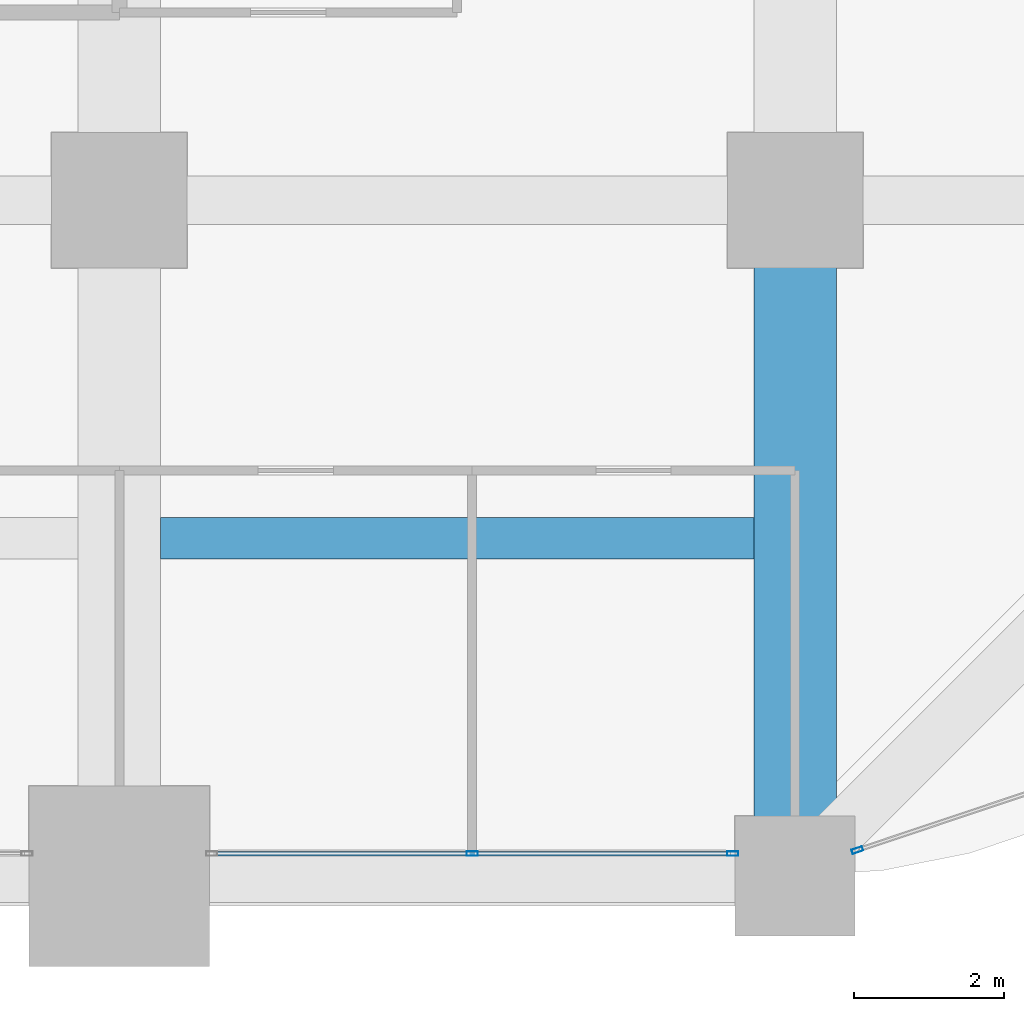
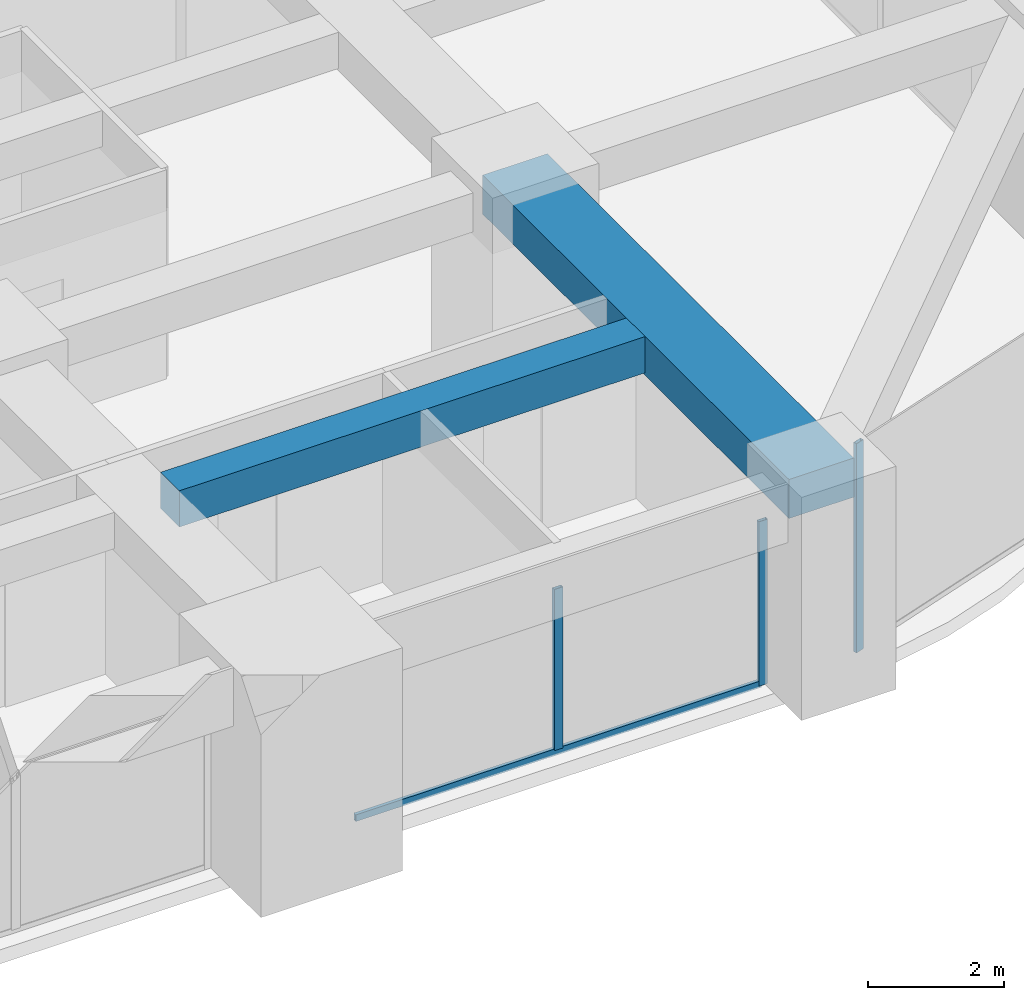
# One storey, part 16 of 40: 4 members, 2 beams, 2 elements without a shape of their own.
"""IFC4 building model written with IfcOpenShell, lengths in metres."""

from ifc_helpers import new_model, si_unit, direction, frame, origin, origin_2d, place, context, subcontext, project, spatial, rectangle, hollow_rectangle, extrude, material, material_profile, profile_set, type_object, element, aggregate, save


model = new_model("IFC4")

# Units and contexts
model_context = context("Model", 3, precision=1e-05, world=origin(), true_north=direction((0.0, 1.0)))
body_context = subcontext(model_context, "Body", "Model", "MODEL_VIEW")
ifc_project = project(units=[si_unit("LENGTHUNIT", "METRE"), si_unit("AREAUNIT", "SQUARE_METRE"), si_unit("VOLUMEUNIT", "CUBIC_METRE"), si_unit("PLANEANGLEUNIT", "RADIAN"), si_unit("MASSUNIT", "GRAM", prefix="KILO")], contexts=[model_context])

# Site, building, storey
site_placement = place(None, origin())
site = spatial("IfcSite", under=ifc_project, at=site_placement, CompositionType="ELEMENT")
building_placement = place(site_placement, origin())
building = spatial("IfcBuilding", under=site, at=building_placement, Name="Zorevar Civic Tower", CompositionType="ELEMENT")
storey_placement = place(building_placement, frame((0.0, 0.0, 133.0)))
storey = spatial("IfcBuildingStorey", under=building, at=storey_placement, Name="L32", CompositionType="ELEMENT", Elevation=133.0)

# Beams
ifc_material_1 = material(Name="Concrete C50/60", Category="concrete")
ifc_material_profile_1 = material_profile(ifc_material_1, rectangle(XDim=1.10009765625, YDim=0.699951171875, at=origin_2d()), Name="RC 1100x700")
ifc_profile_set_1 = profile_set([ifc_material_profile_1], Name="Concrete C50/60")
beam_type_1 = type_object("IfcBeamType", Name="Beam RC 1100x700", PredefinedType="BEAM", material=ifc_profile_set_1)
beam_1_placement = place(storey_placement, frame((54.0, 0.0, 3.39990234375), z_axis=(0.0, 1.0, 0.0), x_axis=(-1.0, 0.0, 0.0)))
element("IfcBeam", 1, at=beam_1_placement, inside=storey, type_object=beam_type_1, Name="Girder L33", PredefinedType="BEAM", context=body_context, shape_type="SweptSolid", body=[
    extrude(rectangle(XDim=1.10009765625, YDim=0.699951171875, at=origin_2d()), origin(), (0.0, 0.0, 1.0), 9.0),
])
ifc_material_2 = material(Name="Concrete C50/60", Category="concrete")
ifc_material_profile_2 = material_profile(ifc_material_2, rectangle(XDim=0.550048828125, YDim=0.64990234375, at=origin_2d()), Name="RC 550x650")
ifc_profile_set_2 = profile_set([ifc_material_profile_2], Name="Concrete C50/60")
beam_type_2 = type_object("IfcBeamType", Name="Beam RC 550x650", PredefinedType="BEAM", material=ifc_profile_set_2)
beam_2_placement = place(storey_placement, frame((45.550048828125, 4.5, 3.425048828125), z_axis=(1.0, 0.0, 0.0), x_axis=(0.0, 1.0, 0.0)))
element("IfcBeam", 2, at=beam_2_placement, inside=storey, type_object=beam_type_2, Name="Secondary beam L33", PredefinedType="BEAM", context=body_context, shape_type="SweptSolid", body=[
    extrude(rectangle(XDim=0.550048828125, YDim=0.64990234375, at=origin_2d()), origin(), (0.0, 0.0, 1.0), 7.89990234375),
])

# Curtain wall, members
ifc_material_3 = material(Name="Dark grey solar-control glass in black aluminium frame", Category="aluminium")
curtain_wall_type = type_object("IfcCurtainWallType", Name="Curtain wall CW3 mid zone", PredefinedType="NOTDEFINED", material=ifc_material_3)
curtain_wall_1_placement = place(storey_placement, origin())
curtain_wall_1 = element("IfcCurtainWall", 3, at=curtain_wall_1_placement, inside=storey, type_object=curtain_wall_type, Name="CW3 L32", PredefinedType="NOTDEFINED")
ifc_material_4 = material(Name="Aluminium, black anodised", Category="aluminium")
ifc_material_profile_3 = material_profile(ifc_material_4, hollow_rectangle(XDim=0.06005859375, YDim=0.14990234375, WallThickness=0.00390625, at=origin_2d()), Name="AL 150x60x4")
ifc_profile_set_3 = profile_set([ifc_material_profile_3], Name="Aluminium, black anodised")
member_type_1 = type_object("IfcMemberType", Name="CW3 mullion AL 150x60x4", PredefinedType="MULLION", material=ifc_profile_set_3)
member_1_placement = place(storey_placement, frame((49.699951171875, 0.300048828125, 0.06005859375), z_axis=(0.0, 0.0, 1.0), x_axis=(0.0, 1.0, 0.0)))
member_1 = element("IfcMember", 4, at=member_1_placement, type_object=member_type_1, Name="CW3 mullion 2", PredefinedType="MULLION", context=body_context, shape_type="SweptSolid", body=[
    extrude(hollow_rectangle(XDim=0.06005859375, YDim=0.14990234375, WallThickness=0.00390625, at=origin_2d()), origin(), (0.0, 0.0, 1.0), 2.889892578125),
])
member_2_placement = place(storey_placement, frame((53.169921875, 0.300048828125, 0.0), z_axis=(0.0, 0.0, 1.0), x_axis=(0.0, 1.0, 0.0)))
member_2 = element("IfcMember", 5, at=member_2_placement, type_object=member_type_1, Name="CW3 mullion 3", PredefinedType="MULLION", context=body_context, shape_type="SweptSolid", body=[
    extrude(hollow_rectangle(XDim=0.06005859375, YDim=0.14990234375, WallThickness=0.00390625, at=origin_2d()), origin(), (0.0, 0.0, 1.0), 2.949951171875),
])

# Curtain wall, member
curtain_wall_2_placement = place(storey_placement, origin())
curtain_wall_2 = element("IfcCurtainWall", 6, at=curtain_wall_2_placement, inside=storey, type_object=curtain_wall_type, Name="CW3 L32", PredefinedType="NOTDEFINED")
member_3_placement = place(storey_placement, frame((54.828369140625, 0.346435546875, 0.0), z_axis=(0.0, 0.0, 1.0), x_axis=(-0.317592669603, 0.948227238701, 0.0)))
member_3 = element("IfcMember", 7, at=member_3_placement, type_object=member_type_1, Name="CW3 mullion 1", PredefinedType="MULLION", context=body_context, shape_type="SweptSolid", body=[
    extrude(hollow_rectangle(XDim=0.06005859375, YDim=0.14990234375, WallThickness=0.00390625, at=origin_2d()), origin(), (0.0, 0.0, 1.0), 3.75),
])
aggregate(curtain_wall_2, [member_3])

# Member
ifc_material_5 = material(Name="Aluminium, black anodised", Category="aluminium")
ifc_material_profile_4 = material_profile(ifc_material_5, hollow_rectangle(XDim=0.06005859375, YDim=0.1201171875, WallThickness=0.0029296875, at=origin_2d()), Name="AL 120x60x3")
ifc_profile_set_4 = profile_set([ifc_material_profile_4], Name="Aluminium, black anodised")
member_type_2 = type_object("IfcMemberType", Name="CW3 transom AL 120x60x3", PredefinedType="USERDEFINED", material=ifc_profile_set_4)
member_4_placement = place(storey_placement, frame((46.260009765625, 0.300048828125, 0.030029296875), z_axis=(1.0, 0.0, 0.0), x_axis=(0.0, 1.0, 0.0)))
member_4 = element("IfcMember", 8, at=member_4_placement, type_object=member_type_2, Name="CW3 sill transom", ObjectType="TRANSOM", PredefinedType="USERDEFINED", context=body_context, shape_type="SweptSolid", body=[
    extrude(hollow_rectangle(XDim=0.06005859375, YDim=0.1201171875, WallThickness=0.0029296875, at=origin_2d()), origin(), (0.0, 0.0, 1.0), 6.8798828125),
])

aggregate(curtain_wall_1, [member_1, member_2, member_4])

save(model, "model.ifc")
